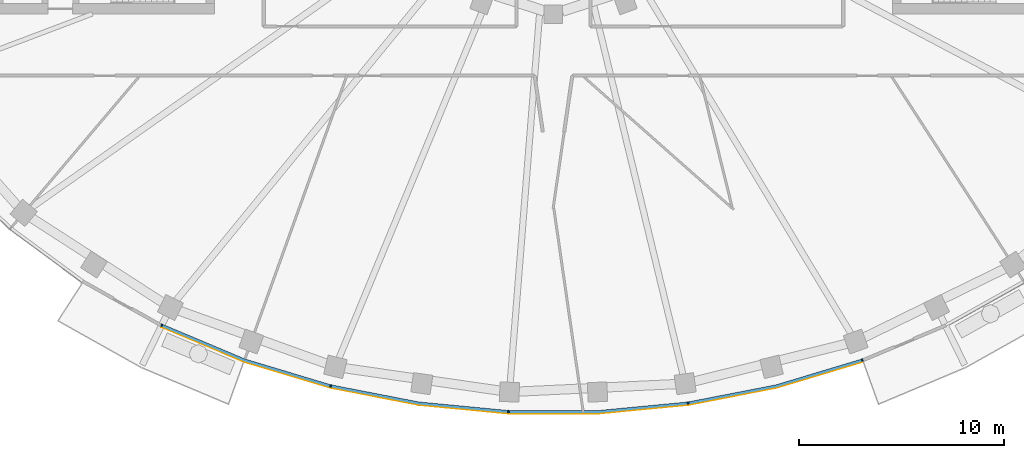
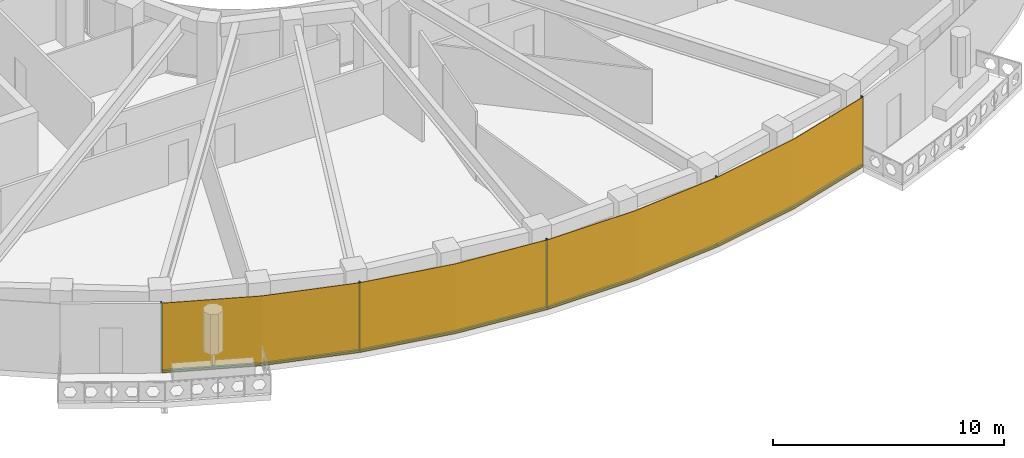
# One storey, part 9 of 15: 9 members, 1 curtain wall.
"""IFC4 building model written with IfcOpenShell, lengths in metres."""

from ifc_helpers import new_model, si_unit, direction, frame, origin, origin_2d, place, context, subcontext, project, spatial, polyline, rectangle, outline, extrude, material, layer, layer_set, material_profile, profile_set, type_object, element, aggregate, save


model = new_model("IFC4")

# Units and contexts
model_context = context("Model", 3, precision=1e-05, world=origin(), true_north=direction((0.0, 1.0)))
body_context = subcontext(model_context, "Body", "Model", "MODEL_VIEW")
ifc_project = project(units=[si_unit("LENGTHUNIT", "METRE"), si_unit("AREAUNIT", "SQUARE_METRE"), si_unit("VOLUMEUNIT", "CUBIC_METRE"), si_unit("PLANEANGLEUNIT", "RADIAN"), si_unit("MASSUNIT", "GRAM", prefix="KILO")], contexts=[model_context])

# Member
ifc_material_1 = material(Name="Aluminium 6063-T6 black anodised", Category="aluminium")
ifc_material_profile = material_profile(ifc_material_1, rectangle(XDim=0.1201171875, YDim=0.06005859375, at=origin_2d()), Name="120x60")
ifc_profile_set = profile_set([ifc_material_profile], Name="Aluminium 6063-T6 black anodised")
member_type_1 = type_object("IfcMemberType", Name="ENV-MULLION-A-120", PredefinedType="MULLION", material=ifc_profile_set)
site_placement = place(None, origin())
building_placement = place(site_placement, origin())
storey_placement = place(building_placement, frame((0.0, 0.0, 295.0)))
member_1_placement = place(storey_placement, frame((-19.06787109375, -23.6474609375, 0.0), z_axis=(0.0, 0.0, 1.0), x_axis=(0.439237769837, 0.898370848563, 0.0)))
member_1 = element("IfcMember", 1, at=member_1_placement, type_object=member_type_1, Name="Mullion A radial 31", PredefinedType="MULLION", context=body_context, shape_type="SweptSolid", body=[
    extrude(rectangle(XDim=0.1201171875, YDim=0.06005859375, at=origin_2d()), origin(), (0.0, 0.0, 1.0), 3.699951171875),
])

member_2_placement = place(storey_placement, frame((-10.84326171875, -26.60498046875, 0.0), z_axis=(0.0, 0.0, 1.0), x_axis=(0.239799081534, 0.970822538106, 0.0)))
member_2 = element("IfcMember", 2, at=member_2_placement, type_object=member_type_1, Name="Mullion A radial 33", PredefinedType="MULLION", context=body_context, shape_type="SweptSolid", body=[
    extrude(rectangle(XDim=0.1201171875, YDim=0.06005859375, at=origin_2d()), origin(), (0.0, 0.0, 1.0), 3.699951171875),
])

member_3_placement = place(storey_placement, frame((-2.188720703125, -27.856201171875, 0.0), z_axis=(0.0, 0.0, 1.0), x_axis=(0.047557873581, 0.998868484166, 0.0)))
member_3 = element("IfcMember", 3, at=member_3_placement, type_object=member_type_1, Name="Mullion A radial 35", PredefinedType="MULLION", context=body_context, shape_type="SweptSolid", body=[
    extrude(rectangle(XDim=0.1201171875, YDim=0.06005859375, at=origin_2d()), origin(), (0.0, 0.0, 1.0), 3.699951171875),
])

member_4_placement = place(storey_placement, frame((6.54638671875, -27.440185546875, 0.0), z_axis=(0.0, 0.0, 1.0), x_axis=(-0.143082012705, 0.989710835366, 0.0)))
member_4 = element("IfcMember", 4, at=member_4_placement, type_object=member_type_1, Name="Mullion A radial 37", PredefinedType="MULLION", context=body_context, shape_type="SweptSolid", body=[
    extrude(rectangle(XDim=0.1201171875, YDim=0.06005859375, at=origin_2d()), origin(), (0.0, 0.0, 1.0), 3.699951171875),
])

member_5_placement = place(storey_placement, frame((15.0341796875, -25.34375, 0.0), z_axis=(0.0, 0.0, 1.0), x_axis=(-0.338379256581, 0.941009818608, 0.0)))
member_5 = element("IfcMember", 5, at=member_5_placement, type_object=member_type_1, Name="Mullion A radial 39", PredefinedType="MULLION", context=body_context, shape_type="SweptSolid", body=[
    extrude(rectangle(XDim=0.1201171875, YDim=0.06005859375, at=origin_2d()), origin(), (0.0, 0.0, 1.0), 3.699951171875),
])

ifc_material_2 = material(Name="Aluminium 6063-T6 black anodised", Category="aluminium")
member_type_2 = type_object("IfcMemberType", Name="ENV-TRANSOM-A", PredefinedType="USERDEFINED", material=ifc_material_2)
member_6_placement = place(storey_placement, origin())
member_6 = element("IfcMember", 6, at=member_6_placement, type_object=member_type_2, Name="Transom A radial 31-33", ObjectType="TRANSOM", PredefinedType="USERDEFINED", context=body_context, shape_type="SweptSolid", body=[
    extrude(outline(polyline([(-19.068359375, -23.71240234375), (-15.054443359375, -25.400146484375), (-10.884521484375, -26.655029296875), (-10.855712890625, -26.53857421875), (-15.013916015625, -25.287109375), (-19.015380859375, -23.604248046875), (-19.068359375, -23.71240234375)])), origin(), (0.0, 0.0, 1.0), 0.10009765625),
])

member_7_placement = place(storey_placement, origin())
member_7 = element("IfcMember", 7, at=member_7_placement, type_object=member_type_2, Name="Transom A radial 33-35", ObjectType="TRANSOM", PredefinedType="USERDEFINED", context=body_context, shape_type="SweptSolid", body=[
    extrude(outline(polyline([(-10.830078125, -26.66845703125), (-6.55517578125, -27.49951171875), (-2.219482421875, -27.913330078125), (-2.2138671875, -27.793212890625), (-6.537841796875, -27.380615234375), (-10.80126953125, -26.552001953125), (-10.830078125, -26.66845703125)])), origin(), (0.0, 0.0, 1.0), 0.10009765625),
])

member_8_placement = place(storey_placement, origin())
member_8 = element("IfcMember", 8, at=member_8_placement, type_object=member_type_2, Name="Transom A radial 35-37", ObjectType="TRANSOM", PredefinedType="USERDEFINED", context=body_context, shape_type="SweptSolid", body=[
    extrude(outline(polyline([(-2.163818359375, -27.916015625), (2.191650390625, -27.916015625), (6.527099609375, -27.502197265625), (6.510009765625, -27.38330078125), (2.185791015625, -27.7958984375), (-2.157958984375, -27.7958984375), (-2.163818359375, -27.916015625)])), origin(), (0.0, 0.0, 1.0), 0.10009765625),
])

member_9_placement = place(storey_placement, origin())
member_9 = element("IfcMember", 9, at=member_9_placement, type_object=member_type_2, Name="Transom A radial 37-39", ObjectType="TRANSOM", PredefinedType="USERDEFINED", context=body_context, shape_type="SweptSolid", body=[
    extrude(outline(polyline([(6.58251953125, -27.494140625), (10.857666015625, -26.6630859375), (15.027587890625, -25.408203125), (14.987060546875, -25.295166015625), (10.828857421875, -26.54638671875), (6.5654296875, -27.375244140625), (6.58251953125, -27.494140625)])), origin(), (0.0, 0.0, 1.0), 0.10009765625),
])

# Site, building, storey
site = spatial("IfcSite", under=ifc_project, at=site_placement, CompositionType="ELEMENT")
building = spatial("IfcBuilding", under=site, at=building_placement, Name="Noorbagh Ring Tower", CompositionType="ELEMENT")
storey = spatial("IfcBuildingStorey", under=building, at=storey_placement, Name="L63", CompositionType="ELEMENT", Elevation=295.0)

# Curtain wall
ifc_material_3 = material(Name="Glass dark tinted laminated", Category="glass")
ifc_layer = layer(ifc_material_3, 0.031982421875)
ifc_layer_set = layer_set([ifc_layer], Name="Glass dark tinted laminated")
curtain_wall_type = type_object("IfcCurtainWallType", Name="ENV-CW-A", PredefinedType="NOTDEFINED", material=ifc_layer_set)
curtain_wall_placement = place(storey_placement, origin())
curtain_wall = element("IfcCurtainWall", 10, at=curtain_wall_placement, inside=storey, type_object=curtain_wall_type, Name="Curtain wall A R31", PredefinedType="NOTDEFINED", context=body_context, shape_type="SweptSolid", body=[
    extrude(outline(polyline([(-19.08984375, -23.738037109375), (-15.065185546875, -25.430419921875), (-10.865234375, -26.6943359375), (-6.559814453125, -27.53125), (-2.193115234375, -27.947998046875), (2.193115234375, -27.947998046875), (6.559814453125, -27.53125), (10.865234375, -26.6943359375), (15.046142578125, -25.43603515625), (15.035400390625, -25.406005859375), (10.857666015625, -26.6630859375), (6.55517578125, -27.49951171875), (2.191650390625, -27.916015625), (-2.191650390625, -27.916015625), (-6.55517578125, -27.49951171875), (-10.857666015625, -26.6630859375), (-15.054443359375, -25.400146484375), (-19.07568359375, -23.709228515625), (-19.08984375, -23.738037109375)])), origin(), (0.0, 0.0, 1.0), 3.699951171875),
])

aggregate(curtain_wall, [member_1, member_2, member_3, member_4, member_5, member_6, member_7, member_8, member_9])

save(model, "model.ifc")
